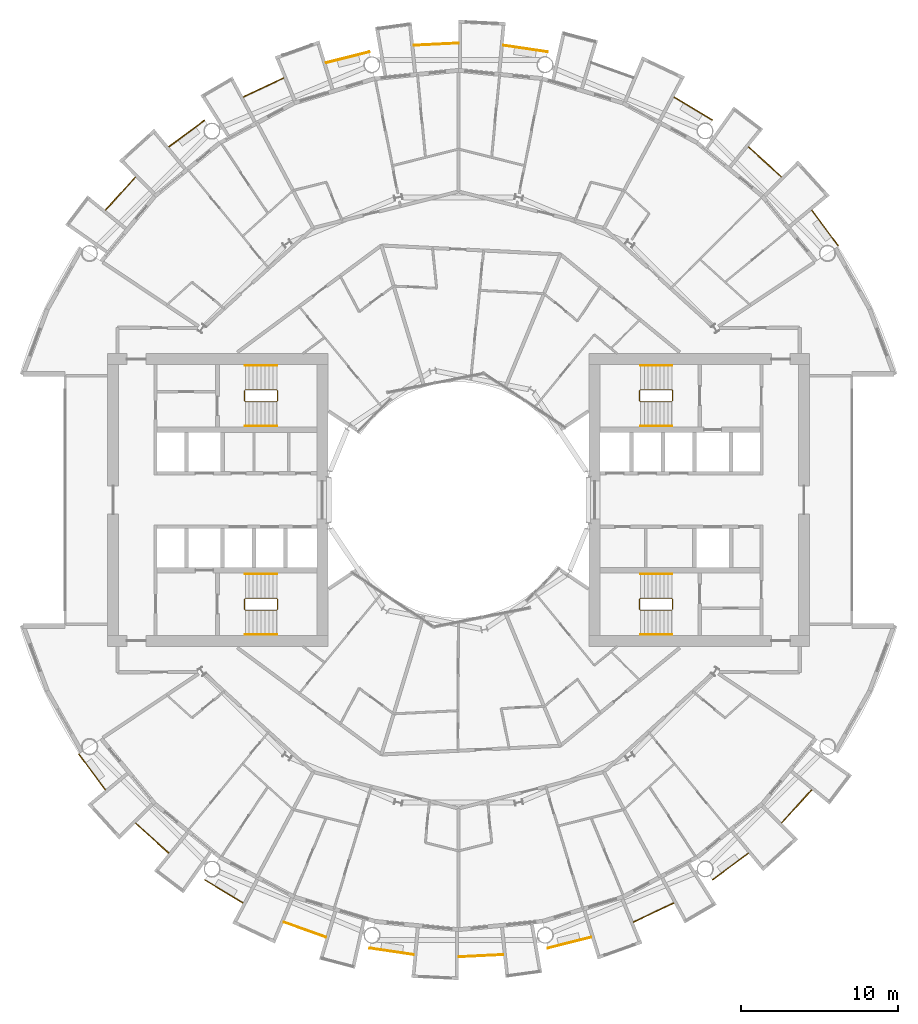
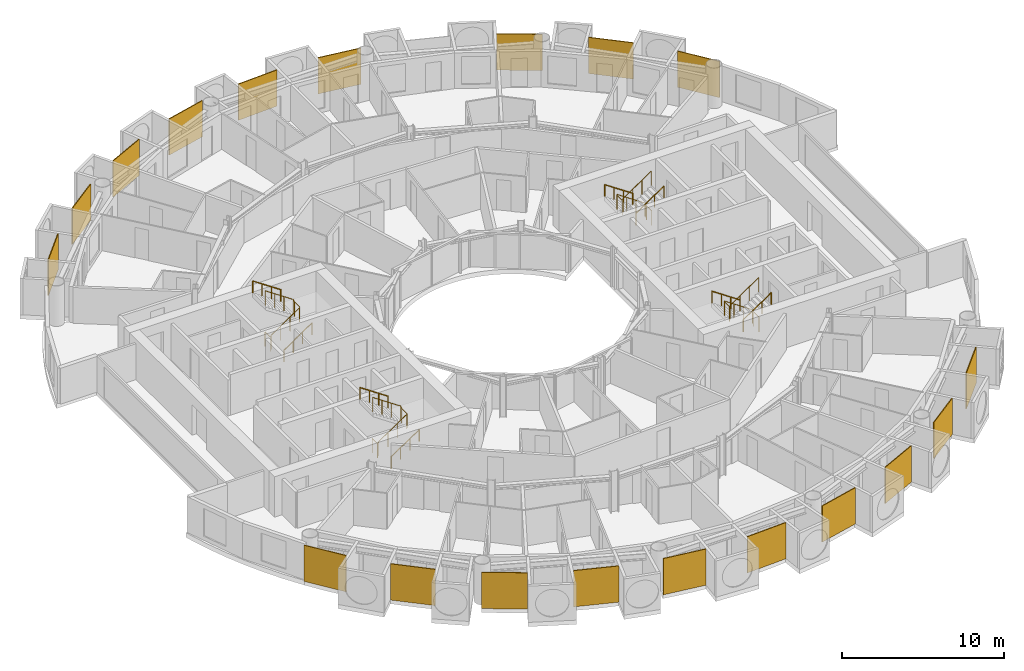
# One storey, part 25 of 26: 31 railings.
"""IFC4 building model written with IfcOpenShell, lengths in metres."""

import ifcopenshell
import ifcopenshell.guid

model = None  # the IFC model being written
_history = None  # IfcOwnerHistory: only IFC2X3 demands one
_inside = {}  # id of a spatial element -> (the spatial element, [elements in it])
_under = {}  # id of a project, library or spatial element -> (it, [spatial elements below it])
_declared = {}  # id of a project -> (the project, [libraries it declares])
_typed = {}  # id of a type object -> (the type object, [elements of that type])
_made_of = {}  # id of a material, layer set ... -> (it, [elements and type objects made of it])


def new_model(schema):
    """Start an empty IFC model of exactly this schema.

    Asked for "IFC4X3", IfcOpenShell would pick the latest addendum, in which some entities
    have other attributes; the version numbers below select the first issue.
    IFC2X3 requires an IfcOwnerHistory on every rooted entity: one is made here for all.
    """
    global model, _history
    if schema == "IFC4X3":
        model = ifcopenshell.file(schema_version=(4, 3, 0, 0))
    else:
        model = ifcopenshell.file(schema=schema)
    _inside.clear()
    _under.clear()
    _declared.clear()
    _typed.clear()
    _made_of.clear()
    _history = None
    if model.schema == "IFC2X3":
        org = make("IfcOrganization", Name="unknown")
        user = make(
            "IfcPersonAndOrganization",
            ThePerson=make("IfcPerson", FamilyName="unknown"),
            TheOrganization=org,
        )
        app = make(
            "IfcApplication",
            ApplicationDeveloper=org,
            Version="unknown",
            ApplicationFullName="unknown",
            ApplicationIdentifier="unknown",
        )
        _history = make(
            "IfcOwnerHistory",
            OwningUser=user,
            OwningApplication=app,
            ChangeAction="ADDED",
            CreationDate=0,
        )
    return model


def make(cls, **values):
    """One entity of the class cls with the attributes given. An attribute that is None is left unset."""
    return model.create_entity(
        cls, **{name: value for name, value in values.items() if value is not None}
    )


def rooted(cls, **values):
    """An entity with a GlobalId (a new one), such as an element, a storey or a relation."""
    return make(cls, GlobalId=ifcopenshell.guid.new(), OwnerHistory=_history, **values)


def si_unit(unit_type, name, prefix=None):
    """IfcSIUnit, for example si_unit("LENGTHUNIT", "METRE", prefix="MILLI")."""
    return make("IfcSIUnit", UnitType=unit_type, Prefix=prefix, Name=name)


def assignment(units):
    """IfcUnitAssignment: the units of a project."""
    return None if units is None else make("IfcUnitAssignment", Units=units)


def point(xyz):
    """IfcCartesianPoint."""
    return None if xyz is None else make("IfcCartesianPoint", Coordinates=xyz)


def direction(xyz):
    """IfcDirection."""
    return None if xyz is None else make("IfcDirection", DirectionRatios=xyz)


def frame(location, z_axis=None, x_axis=None):
    """IfcAxis2Placement3D, a coordinate frame: its origin and axes. An axis left out is left unset."""
    return make(
        "IfcAxis2Placement3D",
        Location=point(location),
        Axis=direction(z_axis),
        RefDirection=direction(x_axis),
    )


def frame_2d(location, x_axis=None):
    """IfcAxis2Placement2D, a coordinate frame in the plane: its origin and x axis."""
    return make(
        "IfcAxis2Placement2D", Location=point(location), RefDirection=direction(x_axis)
    )


def origin():
    """The frame at (0, 0, 0) with its axes left unset."""
    return frame((0.0, 0.0, 0.0))


def origin_2d():
    """The frame at (0, 0) in the plane with its x axis left unset."""
    return frame_2d((0.0, 0.0))


def place(relative_to, where):
    """IfcLocalPlacement: puts the frame where relative to a parent placement (None: the world)."""
    return make(
        "IfcLocalPlacement", PlacementRelTo=relative_to, RelativePlacement=where
    )


def context(
    kind, dimensions, precision=None, world=None, true_north=None, identifier=None
):
    """IfcGeometricRepresentationContext, for example the 3D "Model" context."""
    return make(
        "IfcGeometricRepresentationContext",
        ContextIdentifier=identifier,
        ContextType=kind,
        CoordinateSpaceDimension=dimensions,
        Precision=precision,
        WorldCoordinateSystem=world,
        TrueNorth=true_north,
    )


def subcontext(parent, identifier, kind, view, scale=None):
    """IfcGeometricRepresentationSubContext, for example "Body" below "Model"."""
    return make(
        "IfcGeometricRepresentationSubContext",
        ContextIdentifier=identifier,
        ContextType=kind,
        ParentContext=parent,
        TargetScale=scale,
        TargetView=view,
    )


def project(units=None, contexts=None):
    """IfcProject with its units and contexts."""
    return rooted(
        "IfcProject",
        Name="project",
        RepresentationContexts=contexts,
        UnitsInContext=assignment(units),
    )


def spatial(cls, under=None, at=None, **own):
    """A site, building, storey or space (cls), placed at a placement, below another one or the project."""
    s = rooted(cls, ObjectPlacement=at, **own)
    if under is not None:
        _under.setdefault(under.id(), (under, []))[1].append(s)
    return s


def polyline(points):
    """IfcPolyline through the points."""
    return make("IfcPolyline", Points=[point(p) for p in points])


def profile(cls, at=None, kind="AREA", **sizes):
    """A parametric profile (cls). Its sizes go by their IFC names, for example OverallWidth=200.0."""
    return make(cls, ProfileType=kind, Position=at, **sizes)


def circle(**sizes):
    """IfcCircleProfileDef."""
    return profile("IfcCircleProfileDef", **sizes)


def outline(outer, holes=None, kind="AREA"):
    """IfcArbitraryClosedProfileDef: a profile drawn as a closed curve; with holes, ...WithVoids."""
    if holes is None:
        return make("IfcArbitraryClosedProfileDef", ProfileType=kind, OuterCurve=outer)
    return make(
        "IfcArbitraryProfileDefWithVoids",
        ProfileType=kind,
        OuterCurve=outer,
        InnerCurves=holes,
    )


def extrude(swept, where, along, depth):
    """IfcExtrudedAreaSolid: the profile swept, set in the frame where, extruded along a direction by depth."""
    return make(
        "IfcExtrudedAreaSolid",
        SweptArea=swept,
        Position=where,
        ExtrudedDirection=direction(along),
        Depth=depth,
    )


def shape(context_of_items, identifier, shape_type, items):
    """IfcShapeRepresentation: the items that make up one representation, for example the "Body"."""
    return make(
        "IfcShapeRepresentation",
        ContextOfItems=context_of_items,
        RepresentationIdentifier=identifier,
        RepresentationType=shape_type,
        Items=items,
    )


def material(Name=None, Category=None):
    """IfcMaterial."""
    return make("IfcMaterial", Name=Name, Category=Category)


def layer(
    of_material, thickness, ventilated=None, Name=None, Category=None, Priority=None
):
    """IfcMaterialLayer: one layer of a wall or slab, of a material (None: an air gap)."""
    return make(
        "IfcMaterialLayer",
        Material=of_material,
        LayerThickness=thickness,
        IsVentilated=ventilated,
        Name=Name,
        Category=Category,
        Priority=Priority,
    )


def layer_set(layers, Name=None):
    """IfcMaterialLayerSet."""
    return make("IfcMaterialLayerSet", MaterialLayers=layers, LayerSetName=Name)


def made_of(thing, what):
    """Note that an element or type object is made of a material, layer set ...; save() writes the relation."""
    if what is not None:
        _made_of.setdefault(what.id(), (what, []))[1].append(thing)
    return thing


def type_object(cls, material=None, **own):
    """A type object (cls), such as IfcWallType, which elements share."""
    return made_of(rooted(cls, **own), material)


def element(
    cls,
    number,
    at=None,
    inside=None,
    cuts=None,
    type_object=None,
    material=None,
    context=None,
    identifier="Body",
    shape_type=None,
    held_by="IfcProductDefinitionShape",
    body=None,
    shapes=None,
    **own,
):
    """One element of the class cls, such as IfcWall. Its Tag is "e" and its number.

    at: its placement. inside: the storey or other place that contains it. cuts: it is an
    opening in that element (IfcRelVoidsElement). A single representation is given by context,
    identifier, shape_type and body (its items); several are given by shapes. held_by: the class
    of the entity that holds the representations. save() writes the other relations.
    """
    e = rooted(cls, Tag="e%d" % number, ObjectPlacement=at, **own)
    if body is not None:
        shapes = [shape(context, identifier, shape_type, body)]
    if shapes is not None:
        e.Representation = make(held_by, Representations=shapes)
    if inside is not None:
        _inside.setdefault(inside.id(), (inside, []))[1].append(e)
    if cuts is not None:
        rooted(
            "IfcRelVoidsElement", RelatingBuildingElement=cuts, RelatedOpeningElement=e
        )
    if type_object is not None:
        _typed.setdefault(type_object.id(), (type_object, []))[1].append(e)
    return made_of(e, material)


def aggregate(whole, parts):
    """IfcRelAggregates: a whole, such as a stair, and the parts it consists of."""
    return rooted("IfcRelAggregates", RelatingObject=whole, RelatedObjects=parts)


def save(model, path):
    """Write the relations noted so far, then the file.

    IfcRelAggregates (storeys below a building ...), IfcRelContainedInSpatialStructure (elements
    in a storey), IfcRelDefinesByType, IfcRelAssociatesMaterial and IfcRelDeclares: one each for
    every whole, place, type object, material and project.
    """
    for whole, parts in _under.values():
        aggregate(whole, parts)
    for where, things in _inside.values():
        rooted(
            "IfcRelContainedInSpatialStructure",
            RelatedElements=things,
            RelatingStructure=where,
        )
    for kind, things in _typed.values():
        rooted("IfcRelDefinesByType", RelatedObjects=things, RelatingType=kind)
    for what, things in _made_of.values():
        rooted("IfcRelAssociatesMaterial", RelatedObjects=things, RelatingMaterial=what)
    for by, libraries in _declared.values():
        rooted("IfcRelDeclares", RelatingContext=by, RelatedDefinitions=libraries)
    model.write(path)


model = new_model("IFC4")

# Units and contexts
model_context = context("Model", 3, precision=1e-05, world=origin(), true_north=direction((0.0, 1.0)))
body_context = subcontext(model_context, "Body", "Model", "MODEL_VIEW")
ifc_project = project(units=[si_unit("LENGTHUNIT", "METRE"), si_unit("AREAUNIT", "SQUARE_METRE"), si_unit("VOLUMEUNIT", "CUBIC_METRE"), si_unit("PLANEANGLEUNIT", "RADIAN"), si_unit("MASSUNIT", "GRAM", prefix="KILO")], contexts=[model_context])

# Site, building, storey
site_placement = place(None, origin())
site = spatial("IfcSite", under=ifc_project, at=site_placement, CompositionType="ELEMENT")
building_placement = place(site_placement, origin())
building = spatial("IfcBuilding", under=site, at=building_placement, Name="Maasbend Ring Residences", CompositionType="ELEMENT")
storey_placement = place(building_placement, frame((0.0, 0.0, 84.949951171875)))
storey = spatial("IfcBuildingStorey", under=building, at=storey_placement, Name="L24", CompositionType="ELEMENT", Elevation=84.949951171875)

# Railings
ifc_material_1 = material(Name="Pale anodised perforated aluminium", Category="aluminium")
ifc_layer = layer(ifc_material_1, 0.06005859375)
ifc_layer_set = layer_set([ifc_layer], Name="SCREEN-P")
railing_type_1 = type_object("IfcRailingType", Name="SCREEN-P", PredefinedType="GUARDRAIL", material=ifc_layer_set)
railing_1_placement = place(storey_placement, frame((0.0, 0.0, -0.030029296875)))
element("IfcRailing", 1, at=railing_1_placement, inside=storey, type_object=railing_type_1, Name="Perforated screen guard 1", PredefinedType="GUARDRAIL", context=body_context, shape_type="SweptSolid", body=[
    extrude(outline(polyline([(24.113037109375, 16.112060546875), (22.4169921875, 18.39697265625), (22.465087890625, 18.43310546875), (24.160888671875, 16.14697265625), (24.113037109375, 16.112060546875)])), origin(), (0.0, 0.0, 1.0), 2.72998046875),
])
railing_2_placement = place(storey_placement, frame((0.0, 0.0, -0.030029296875)))
element("IfcRailing", 2, at=railing_2_placement, inside=storey, type_object=railing_type_1, Name="Perforated screen guard 2", PredefinedType="GUARDRAIL", context=body_context, shape_type="SweptSolid", body=[
    extrude(outline(polyline([(20.506103515625, 20.506103515625), (18.39697265625, 22.4169921875), (18.43798828125, 22.4619140625), (20.5458984375, 20.551025390625), (20.506103515625, 20.506103515625)])), origin(), (0.0, 0.0, 1.0), 2.72998046875),
])
railing_3_placement = place(storey_placement, frame((0.0, 0.0, -0.030029296875)))
element("IfcRailing", 3, at=railing_3_placement, inside=storey, type_object=railing_type_1, Name="Perforated screen guard 3", PredefinedType="GUARDRAIL", context=body_context, shape_type="SweptSolid", body=[
    extrude(outline(polyline([(16.112060546875, 24.113037109375), (13.6708984375, 25.575927734375), (13.700927734375, 25.626953125), (16.14208984375, 24.1640625), (16.112060546875, 24.113037109375)])), origin(), (0.0, 0.0, 1.0), 2.72998046875),
])
railing_4_placement = place(storey_placement, frame((0.0, 0.0, -0.030029296875)))
element("IfcRailing", 4, at=railing_4_placement, inside=storey, type_object=railing_type_1, Name="Perforated screen guard 5", PredefinedType="GUARDRAIL", context=body_context, shape_type="SweptSolid", body=[
    extrude(outline(polyline([(5.657958984375, 28.443115234375), (2.842041015625, 28.860107421875), (2.85107421875, 28.919921875), (5.666015625, 28.501953125), (5.657958984375, 28.443115234375)])), origin(), (0.0, 0.0, 1.0), 2.72998046875),
])
railing_5_placement = place(storey_placement, frame((0.0, 0.0, -0.030029296875)))
element("IfcRailing", 5, at=railing_5_placement, inside=storey, type_object=railing_type_1, Name="Perforated screen guard 6", PredefinedType="GUARDRAIL", context=body_context, shape_type="SweptSolid", body=[
    extrude(outline(polyline([(0.0, 29.0), (-2.842041015625, 28.860107421875), (-2.844970703125, 28.919921875), (-0.0029296875, 29.06005859375), (0.0, 29.0)])), origin(), (0.0, 0.0, 1.0), 2.72998046875),
])
railing_6_placement = place(storey_placement, frame((0.0, 0.0, -0.030029296875)))
element("IfcRailing", 6, at=railing_6_placement, inside=storey, type_object=railing_type_1, Name="Perforated screen guard 7", PredefinedType="GUARDRAIL", context=body_context, shape_type="SweptSolid", body=[
    extrude(outline(polyline([(-5.657958984375, 28.443115234375), (-8.41796875, 27.7509765625), (-8.43310546875, 27.80908203125), (-5.672119140625, 28.5009765625), (-5.657958984375, 28.443115234375)])), origin(), (0.0, 0.0, 1.0), 2.72998046875),
])
railing_7_placement = place(storey_placement, frame((0.0, 0.0, -0.030029296875)))
element("IfcRailing", 7, at=railing_7_placement, inside=storey, type_object=railing_type_1, Name="Perforated screen guard 8", PredefinedType="GUARDRAIL", context=body_context, shape_type="SweptSolid", body=[
    extrude(outline(polyline([(-11.097900390625, 26.79296875), (-13.6708984375, 25.575927734375), (-13.696044921875, 25.6298828125), (-11.123046875, 26.846923828125), (-11.097900390625, 26.79296875)])), origin(), (0.0, 0.0, 1.0), 2.72998046875),
])
railing_8_placement = place(storey_placement, frame((0.0, 0.0, -0.030029296875)))
element("IfcRailing", 8, at=railing_8_placement, inside=storey, type_object=railing_type_1, Name="Perforated screen guard 9", PredefinedType="GUARDRAIL", context=body_context, shape_type="SweptSolid", body=[
    extrude(outline(polyline([(-16.112060546875, 24.113037109375), (-18.39697265625, 22.4169921875), (-18.43310546875, 22.465087890625), (-16.14697265625, 24.160888671875), (-16.112060546875, 24.113037109375)])), origin(), (0.0, 0.0, 1.0), 2.72998046875),
])
railing_9_placement = place(storey_placement, frame((0.0, 0.0, -0.030029296875)))
element("IfcRailing", 9, at=railing_9_placement, inside=storey, type_object=railing_type_1, Name="Perforated screen guard 10", PredefinedType="GUARDRAIL", context=body_context, shape_type="SweptSolid", body=[
    extrude(outline(polyline([(-20.506103515625, 20.506103515625), (-22.4169921875, 18.39697265625), (-22.4619140625, 18.43798828125), (-20.551025390625, 20.5458984375), (-20.506103515625, 20.506103515625)])), origin(), (0.0, 0.0, 1.0), 2.72998046875),
])
railing_10_placement = place(storey_placement, frame((0.0, 0.0, -0.030029296875)))
element("IfcRailing", 10, at=railing_10_placement, inside=storey, type_object=railing_type_1, Name="Perforated screen guard 1", PredefinedType="GUARDRAIL", context=body_context, shape_type="SweptSolid", body=[
    extrude(outline(polyline([(-24.113037109375, -16.112060546875), (-22.4169921875, -18.39697265625), (-22.465087890625, -18.43310546875), (-24.160888671875, -16.14697265625), (-24.113037109375, -16.112060546875)])), origin(), (0.0, 0.0, 1.0), 2.72998046875),
])
railing_11_placement = place(storey_placement, frame((0.0, 0.0, -0.030029296875)))
element("IfcRailing", 11, at=railing_11_placement, inside=storey, type_object=railing_type_1, Name="Perforated screen guard 2", PredefinedType="GUARDRAIL", context=body_context, shape_type="SweptSolid", body=[
    extrude(outline(polyline([(-20.506103515625, -20.506103515625), (-18.39697265625, -22.4169921875), (-18.43798828125, -22.4619140625), (-20.5458984375, -20.551025390625), (-20.506103515625, -20.506103515625)])), origin(), (0.0, 0.0, 1.0), 2.72998046875),
])
railing_12_placement = place(storey_placement, frame((0.0, 0.0, -0.030029296875)))
element("IfcRailing", 12, at=railing_12_placement, inside=storey, type_object=railing_type_1, Name="Perforated screen guard 3", PredefinedType="GUARDRAIL", context=body_context, shape_type="SweptSolid", body=[
    extrude(outline(polyline([(-16.112060546875, -24.113037109375), (-13.6708984375, -25.575927734375), (-13.700927734375, -25.626953125), (-16.14208984375, -24.1640625), (-16.112060546875, -24.113037109375)])), origin(), (0.0, 0.0, 1.0), 2.72998046875),
])
railing_13_placement = place(storey_placement, frame((0.0, 0.0, -0.030029296875)))
element("IfcRailing", 13, at=railing_13_placement, inside=storey, type_object=railing_type_1, Name="Perforated screen guard 4", PredefinedType="GUARDRAIL", context=body_context, shape_type="SweptSolid", body=[
    extrude(outline(polyline([(-11.097900390625, -26.79296875), (-8.41796875, -27.7509765625), (-8.43798828125, -27.80810546875), (-11.117919921875, -26.84912109375), (-11.097900390625, -26.79296875)])), origin(), (0.0, 0.0, 1.0), 2.72998046875),
])
railing_14_placement = place(storey_placement, frame((0.0, 0.0, -0.030029296875)))
element("IfcRailing", 14, at=railing_14_placement, inside=storey, type_object=railing_type_1, Name="Perforated screen guard 5", PredefinedType="GUARDRAIL", context=body_context, shape_type="SweptSolid", body=[
    extrude(outline(polyline([(-5.657958984375, -28.443115234375), (-2.842041015625, -28.860107421875), (-2.85107421875, -28.919921875), (-5.666015625, -28.501953125), (-5.657958984375, -28.443115234375)])), origin(), (0.0, 0.0, 1.0), 2.72998046875),
])
railing_15_placement = place(storey_placement, frame((0.0, 0.0, -0.030029296875)))
element("IfcRailing", 15, at=railing_15_placement, inside=storey, type_object=railing_type_1, Name="Perforated screen guard 6", PredefinedType="GUARDRAIL", context=body_context, shape_type="SweptSolid", body=[
    extrude(outline(polyline([(0.0, -29.0), (2.842041015625, -28.860107421875), (2.844970703125, -28.919921875), (0.0029296875, -29.06005859375), (0.0, -29.0)])), origin(), (0.0, 0.0, 1.0), 2.72998046875),
])
railing_16_placement = place(storey_placement, frame((0.0, 0.0, -0.030029296875)))
element("IfcRailing", 16, at=railing_16_placement, inside=storey, type_object=railing_type_1, Name="Perforated screen guard 7", PredefinedType="GUARDRAIL", context=body_context, shape_type="SweptSolid", body=[
    extrude(outline(polyline([(5.657958984375, -28.443115234375), (8.41796875, -27.7509765625), (8.43310546875, -27.80908203125), (5.672119140625, -28.5009765625), (5.657958984375, -28.443115234375)])), origin(), (0.0, 0.0, 1.0), 2.72998046875),
])
railing_17_placement = place(storey_placement, frame((0.0, 0.0, -0.030029296875)))
element("IfcRailing", 17, at=railing_17_placement, inside=storey, type_object=railing_type_1, Name="Perforated screen guard 8", PredefinedType="GUARDRAIL", context=body_context, shape_type="SweptSolid", body=[
    extrude(outline(polyline([(11.097900390625, -26.79296875), (13.6708984375, -25.575927734375), (13.696044921875, -25.6298828125), (11.123046875, -26.846923828125), (11.097900390625, -26.79296875)])), origin(), (0.0, 0.0, 1.0), 2.72998046875),
])
railing_18_placement = place(storey_placement, frame((0.0, 0.0, -0.030029296875)))
element("IfcRailing", 18, at=railing_18_placement, inside=storey, type_object=railing_type_1, Name="Perforated screen guard 9", PredefinedType="GUARDRAIL", context=body_context, shape_type="SweptSolid", body=[
    extrude(outline(polyline([(16.112060546875, -24.113037109375), (18.39697265625, -22.4169921875), (18.43310546875, -22.465087890625), (16.14697265625, -24.160888671875), (16.112060546875, -24.113037109375)])), origin(), (0.0, 0.0, 1.0), 2.72998046875),
])
railing_19_placement = place(storey_placement, frame((0.0, 0.0, -0.030029296875)))
element("IfcRailing", 19, at=railing_19_placement, inside=storey, type_object=railing_type_1, Name="Perforated screen guard 10", PredefinedType="GUARDRAIL", context=body_context, shape_type="SweptSolid", body=[
    extrude(outline(polyline([(20.506103515625, -20.506103515625), (22.4169921875, -18.39697265625), (22.4619140625, -18.43798828125), (20.551025390625, -20.5458984375), (20.506103515625, -20.506103515625)])), origin(), (0.0, 0.0, 1.0), 2.72998046875),
])
ifc_material_2 = material(Name="Stainless steel 316", Category="steel")
railing_type_2 = type_object("IfcRailingType", Name="STAIR GUARD 1100", PredefinedType="GUARDRAIL", material=ifc_material_2)
railing_20_placement = place(storey_placement, frame((13.60009765625, 6.300048828125, 0.0)))
element("IfcRailing", 20, at=railing_20_placement, inside=storey, type_object=railing_type_2, Name="L24 ST-E1 stair guard 1", PredefinedType="GUARDRAIL", context=body_context, shape_type="SweptSolid", body=[
    extrude(circle(Radius=0.02392578125, at=origin_2d()), frame((0.0, 0.0, 1.076171875), z_axis=(0.0, 1.0, 0.0), x_axis=(-1.0, 0.0, 0.0)), (0.0, 0.0, 1.0), 0.64990234375),
    extrude(circle(Radius=0.02392578125, at=origin_2d()), frame((0.0, 0.64990234375, 1.076171875), z_axis=(-0.272562526181, 0.272562526181, 0.92272386912), x_axis=(-0.707106781187, -0.707106781187, 0.0)), (0.0, 0.0, 1.0), 0.18359375),
    extrude(circle(Radius=0.02392578125, at=origin_2d()), frame((-0.050048828125, 0.699951171875, 1.24560546875), z_axis=(-0.827750655447, 0.0, 0.561096116906), x_axis=(0.0, -1.0, 0.0)), (0.0, 0.0, 1.0), 2.416259765625),
    extrude(circle(Radius=0.02392578125, at=origin_2d()), frame((-2.050048828125, 0.699951171875, 2.60107421875), z_axis=(-0.707106781187, -0.707106781187, 0.0), x_axis=(0.707106781187, -0.707106781187, 0.0)), (0.0, 0.0, 1.0), 0.07080078125),
    extrude(circle(Radius=0.02392578125, at=origin_2d()), frame((-2.10009765625, 0.64990234375, 2.60107421875), z_axis=(0.0, -1.0, 0.0), x_axis=(1.0, 0.0, 0.0)), (0.0, 0.0, 1.0), 0.64990234375),
    extrude(circle(Radius=0.02392578125, at=origin_2d()), frame((-2.10009765625, 0.0, 2.60107421875), z_axis=(0.272562526181, -0.272562526181, 0.92272386912), x_axis=(0.707106781187, 0.707106781187, 0.0)), (0.0, 0.0, 1.0), 0.18359375),
    extrude(circle(Radius=0.02392578125, at=origin_2d()), frame((-2.050048828125, -0.050048828125, 2.7705078125), z_axis=(0.827797584762, 0.0, 0.561026878735), x_axis=(0.0, 1.0, 0.0)), (0.0, 0.0, 1.0), 2.416015625),
    extrude(circle(Radius=0.02099609375, at=origin_2d()), origin(), (0.0, 0.0, 1.0), 1.052001953125),
    extrude(circle(Radius=0.02099609375, at=origin_2d()), frame((0.0, 0.64990234375, 0.0)), (0.0, 0.0, 1.0), 1.052001953125),
    extrude(circle(Radius=0.02099609375, at=origin_2d()), frame((-0.050048828125, 0.699951171875, 0.16943359375)), (0.0, 0.0, 1.0), 1.052001953125),
    extrude(circle(Radius=0.02099609375, at=origin_2d()), frame((-0.716796875, 0.699951171875, 0.621337890625)), (0.0, 0.0, 1.0), 1.052001953125),
    extrude(circle(Radius=0.02099609375, at=origin_2d()), frame((-1.38330078125, 0.699951171875, 1.0732421875)), (0.0, 0.0, 1.0), 1.052001953125),
    extrude(circle(Radius=0.02099609375, at=origin_2d()), frame((-2.050048828125, 0.699951171875, 1.525146484375)), (0.0, 0.0, 1.0), 1.052001953125),
    extrude(circle(Radius=0.02099609375, at=origin_2d()), frame((-2.10009765625, 0.64990234375, 1.525146484375)), (0.0, 0.0, 1.0), 1.052001953125),
    extrude(circle(Radius=0.02099609375, at=origin_2d()), frame((-2.10009765625, 0.0, 1.525146484375)), (0.0, 0.0, 1.0), 1.052001953125),
    extrude(circle(Radius=0.02099609375, at=origin_2d()), frame((-2.050048828125, -0.050048828125, 1.694580078125)), (0.0, 0.0, 1.0), 1.052001953125),
    extrude(circle(Radius=0.02099609375, at=origin_2d()), frame((-1.38330078125, -0.050048828125, 2.146484375)), (0.0, 0.0, 1.0), 1.052001953125),
    extrude(circle(Radius=0.02099609375, at=origin_2d()), frame((-0.716796875, -0.050048828125, 2.59814453125)), (0.0, 0.0, 1.0), 1.052001953125),
    extrude(circle(Radius=0.02099609375, at=origin_2d()), frame((-0.050048828125, -0.050048828125, 3.050048828125)), (0.0, 0.0, 1.0), 1.052001953125),
])
railing_21_placement = place(storey_placement, frame((13.60009765625, -6.949951171875, 0.0)))
element("IfcRailing", 21, at=railing_21_placement, inside=storey, type_object=railing_type_2, Name="L24 ST-E2 stair guard 1", PredefinedType="GUARDRAIL", context=body_context, shape_type="SweptSolid", body=[
    extrude(circle(Radius=0.02392578125, at=origin_2d()), frame((0.0, 0.0, 1.076171875), z_axis=(0.0, 1.0, 0.0), x_axis=(-1.0, 0.0, 0.0)), (0.0, 0.0, 1.0), 0.64990234375),
    extrude(circle(Radius=0.02392578125, at=origin_2d()), frame((0.0, 0.64990234375, 1.076171875), z_axis=(-0.272562526181, 0.272562526181, 0.92272386912), x_axis=(-0.707106781187, -0.707106781187, 0.0)), (0.0, 0.0, 1.0), 0.18359375),
    extrude(circle(Radius=0.02392578125, at=origin_2d()), frame((-0.050048828125, 0.699951171875, 1.24560546875), z_axis=(-0.827750655447, 0.0, 0.561096116906), x_axis=(0.0, -1.0, 0.0)), (0.0, 0.0, 1.0), 2.416259765625),
    extrude(circle(Radius=0.02392578125, at=origin_2d()), frame((-2.050048828125, 0.699951171875, 2.60107421875), z_axis=(-0.707106781187, -0.707106781187, 0.0), x_axis=(0.707106781187, -0.707106781187, 0.0)), (0.0, 0.0, 1.0), 0.07080078125),
    extrude(circle(Radius=0.02392578125, at=origin_2d()), frame((-2.10009765625, 0.64990234375, 2.60107421875), z_axis=(0.0, -1.0, 0.0), x_axis=(1.0, 0.0, 0.0)), (0.0, 0.0, 1.0), 0.64990234375),
    extrude(circle(Radius=0.02392578125, at=origin_2d()), frame((-2.10009765625, 0.0, 2.60107421875), z_axis=(0.272562526181, -0.272562526181, 0.92272386912), x_axis=(0.707106781187, 0.707106781187, 0.0)), (0.0, 0.0, 1.0), 0.18359375),
    extrude(circle(Radius=0.02392578125, at=origin_2d()), frame((-2.050048828125, -0.050048828125, 2.7705078125), z_axis=(0.827797584762, 0.0, 0.561026878735), x_axis=(0.0, 1.0, 0.0)), (0.0, 0.0, 1.0), 2.416015625),
    extrude(circle(Radius=0.02099609375, at=origin_2d()), origin(), (0.0, 0.0, 1.0), 1.052001953125),
    extrude(circle(Radius=0.02099609375, at=origin_2d()), frame((0.0, 0.64990234375, 0.0)), (0.0, 0.0, 1.0), 1.052001953125),
    extrude(circle(Radius=0.02099609375, at=origin_2d()), frame((-0.050048828125, 0.699951171875, 0.16943359375)), (0.0, 0.0, 1.0), 1.052001953125),
    extrude(circle(Radius=0.02099609375, at=origin_2d()), frame((-0.716796875, 0.699951171875, 0.621337890625)), (0.0, 0.0, 1.0), 1.052001953125),
    extrude(circle(Radius=0.02099609375, at=origin_2d()), frame((-1.38330078125, 0.699951171875, 1.0732421875)), (0.0, 0.0, 1.0), 1.052001953125),
    extrude(circle(Radius=0.02099609375, at=origin_2d()), frame((-2.050048828125, 0.699951171875, 1.525146484375)), (0.0, 0.0, 1.0), 1.052001953125),
    extrude(circle(Radius=0.02099609375, at=origin_2d()), frame((-2.10009765625, 0.64990234375, 1.525146484375)), (0.0, 0.0, 1.0), 1.052001953125),
    extrude(circle(Radius=0.02099609375, at=origin_2d()), frame((-2.10009765625, 0.0, 1.525146484375)), (0.0, 0.0, 1.0), 1.052001953125),
    extrude(circle(Radius=0.02099609375, at=origin_2d()), frame((-2.050048828125, -0.050048828125, 1.694580078125)), (0.0, 0.0, 1.0), 1.052001953125),
    extrude(circle(Radius=0.02099609375, at=origin_2d()), frame((-1.38330078125, -0.050048828125, 2.146484375)), (0.0, 0.0, 1.0), 1.052001953125),
    extrude(circle(Radius=0.02099609375, at=origin_2d()), frame((-0.716796875, -0.050048828125, 2.59814453125)), (0.0, 0.0, 1.0), 1.052001953125),
    extrude(circle(Radius=0.02099609375, at=origin_2d()), frame((-0.050048828125, -0.050048828125, 3.050048828125)), (0.0, 0.0, 1.0), 1.052001953125),
])
railing_22_placement = place(storey_placement, frame((-13.60009765625, -6.300048828125, 0.0)))
element("IfcRailing", 22, at=railing_22_placement, inside=storey, type_object=railing_type_2, Name="L24 ST-W1 stair guard 1", PredefinedType="GUARDRAIL", context=body_context, shape_type="SweptSolid", body=[
    extrude(circle(Radius=0.02392578125, at=origin_2d()), frame((0.0, 0.0, 1.076171875), z_axis=(0.0, -1.0, 0.0), x_axis=(1.0, 0.0, 0.0)), (0.0, 0.0, 1.0), 0.64990234375),
    extrude(circle(Radius=0.02392578125, at=origin_2d()), frame((0.0, -0.64990234375, 1.076171875), z_axis=(0.272562526181, -0.272562526181, 0.92272386912), x_axis=(0.707106781187, 0.707106781187, 0.0)), (0.0, 0.0, 1.0), 0.18359375),
    extrude(circle(Radius=0.02392578125, at=origin_2d()), frame((0.050048828125, -0.699951171875, 1.24560546875), z_axis=(0.827750655447, 0.0, 0.561096116906), x_axis=(0.0, 1.0, 0.0)), (0.0, 0.0, 1.0), 2.416259765625),
    extrude(circle(Radius=0.02392578125, at=origin_2d()), frame((2.050048828125, -0.699951171875, 2.60107421875), z_axis=(0.707106781187, 0.707106781187, 0.0), x_axis=(-0.707106781187, 0.707106781187, 0.0)), (0.0, 0.0, 1.0), 0.07080078125),
    extrude(circle(Radius=0.02392578125, at=origin_2d()), frame((2.10009765625, -0.64990234375, 2.60107421875), z_axis=(0.0, 1.0, 0.0), x_axis=(-1.0, 0.0, 0.0)), (0.0, 0.0, 1.0), 0.64990234375),
    extrude(circle(Radius=0.02392578125, at=origin_2d()), frame((2.10009765625, 0.0, 2.60107421875), z_axis=(-0.272562526181, 0.272562526181, 0.92272386912), x_axis=(-0.707106781187, -0.707106781187, 0.0)), (0.0, 0.0, 1.0), 0.18359375),
    extrude(circle(Radius=0.02392578125, at=origin_2d()), frame((2.050048828125, 0.050048828125, 2.7705078125), z_axis=(-0.827797584762, 0.0, 0.561026878735), x_axis=(0.0, -1.0, 0.0)), (0.0, 0.0, 1.0), 2.416015625),
    extrude(circle(Radius=0.02099609375, at=origin_2d()), origin(), (0.0, 0.0, 1.0), 1.052001953125),
    extrude(circle(Radius=0.02099609375, at=origin_2d()), frame((0.0, -0.64990234375, 0.0)), (0.0, 0.0, 1.0), 1.052001953125),
    extrude(circle(Radius=0.02099609375, at=origin_2d()), frame((0.050048828125, -0.699951171875, 0.16943359375)), (0.0, 0.0, 1.0), 1.052001953125),
    extrude(circle(Radius=0.02099609375, at=origin_2d()), frame((0.716796875, -0.699951171875, 0.621337890625)), (0.0, 0.0, 1.0), 1.052001953125),
    extrude(circle(Radius=0.02099609375, at=origin_2d()), frame((1.38330078125, -0.699951171875, 1.0732421875)), (0.0, 0.0, 1.0), 1.052001953125),
    extrude(circle(Radius=0.02099609375, at=origin_2d()), frame((2.050048828125, -0.699951171875, 1.525146484375)), (0.0, 0.0, 1.0), 1.052001953125),
    extrude(circle(Radius=0.02099609375, at=origin_2d()), frame((2.10009765625, -0.64990234375, 1.525146484375)), (0.0, 0.0, 1.0), 1.052001953125),
    extrude(circle(Radius=0.02099609375, at=origin_2d()), frame((2.10009765625, 0.0, 1.525146484375)), (0.0, 0.0, 1.0), 1.052001953125),
    extrude(circle(Radius=0.02099609375, at=origin_2d()), frame((2.050048828125, 0.050048828125, 1.694580078125)), (0.0, 0.0, 1.0), 1.052001953125),
    extrude(circle(Radius=0.02099609375, at=origin_2d()), frame((1.38330078125, 0.050048828125, 2.146484375)), (0.0, 0.0, 1.0), 1.052001953125),
    extrude(circle(Radius=0.02099609375, at=origin_2d()), frame((0.716796875, 0.050048828125, 2.59814453125)), (0.0, 0.0, 1.0), 1.052001953125),
    extrude(circle(Radius=0.02099609375, at=origin_2d()), frame((0.050048828125, 0.050048828125, 3.050048828125)), (0.0, 0.0, 1.0), 1.052001953125),
])
railing_23_placement = place(storey_placement, frame((-13.60009765625, 6.949951171875, 0.0)))
element("IfcRailing", 23, at=railing_23_placement, inside=storey, type_object=railing_type_2, Name="L24 ST-W2 stair guard 1", PredefinedType="GUARDRAIL", context=body_context, shape_type="SweptSolid", body=[
    extrude(circle(Radius=0.02392578125, at=origin_2d()), frame((0.0, 0.0, 1.076171875), z_axis=(0.0, -1.0, 0.0), x_axis=(1.0, 0.0, 0.0)), (0.0, 0.0, 1.0), 0.64990234375),
    extrude(circle(Radius=0.02392578125, at=origin_2d()), frame((0.0, -0.64990234375, 1.076171875), z_axis=(0.272562526181, -0.272562526181, 0.92272386912), x_axis=(0.707106781187, 0.707106781187, 0.0)), (0.0, 0.0, 1.0), 0.18359375),
    extrude(circle(Radius=0.02392578125, at=origin_2d()), frame((0.050048828125, -0.699951171875, 1.24560546875), z_axis=(0.827750655447, 0.0, 0.561096116906), x_axis=(0.0, 1.0, 0.0)), (0.0, 0.0, 1.0), 2.416259765625),
    extrude(circle(Radius=0.02392578125, at=origin_2d()), frame((2.050048828125, -0.699951171875, 2.60107421875), z_axis=(0.707106781187, 0.707106781187, 0.0), x_axis=(-0.707106781187, 0.707106781187, 0.0)), (0.0, 0.0, 1.0), 0.07080078125),
    extrude(circle(Radius=0.02392578125, at=origin_2d()), frame((2.10009765625, -0.64990234375, 2.60107421875), z_axis=(0.0, 1.0, 0.0), x_axis=(-1.0, 0.0, 0.0)), (0.0, 0.0, 1.0), 0.64990234375),
    extrude(circle(Radius=0.02392578125, at=origin_2d()), frame((2.10009765625, 0.0, 2.60107421875), z_axis=(-0.272562526181, 0.272562526181, 0.92272386912), x_axis=(-0.707106781187, -0.707106781187, 0.0)), (0.0, 0.0, 1.0), 0.18359375),
    extrude(circle(Radius=0.02392578125, at=origin_2d()), frame((2.050048828125, 0.050048828125, 2.7705078125), z_axis=(-0.827797584762, 0.0, 0.561026878735), x_axis=(0.0, -1.0, 0.0)), (0.0, 0.0, 1.0), 2.416015625),
    extrude(circle(Radius=0.02099609375, at=origin_2d()), origin(), (0.0, 0.0, 1.0), 1.052001953125),
    extrude(circle(Radius=0.02099609375, at=origin_2d()), frame((0.0, -0.64990234375, 0.0)), (0.0, 0.0, 1.0), 1.052001953125),
    extrude(circle(Radius=0.02099609375, at=origin_2d()), frame((0.050048828125, -0.699951171875, 0.16943359375)), (0.0, 0.0, 1.0), 1.052001953125),
    extrude(circle(Radius=0.02099609375, at=origin_2d()), frame((0.716796875, -0.699951171875, 0.621337890625)), (0.0, 0.0, 1.0), 1.052001953125),
    extrude(circle(Radius=0.02099609375, at=origin_2d()), frame((1.38330078125, -0.699951171875, 1.0732421875)), (0.0, 0.0, 1.0), 1.052001953125),
    extrude(circle(Radius=0.02099609375, at=origin_2d()), frame((2.050048828125, -0.699951171875, 1.525146484375)), (0.0, 0.0, 1.0), 1.052001953125),
    extrude(circle(Radius=0.02099609375, at=origin_2d()), frame((2.10009765625, -0.64990234375, 1.525146484375)), (0.0, 0.0, 1.0), 1.052001953125),
    extrude(circle(Radius=0.02099609375, at=origin_2d()), frame((2.10009765625, 0.0, 1.525146484375)), (0.0, 0.0, 1.0), 1.052001953125),
    extrude(circle(Radius=0.02099609375, at=origin_2d()), frame((2.050048828125, 0.050048828125, 1.694580078125)), (0.0, 0.0, 1.0), 1.052001953125),
    extrude(circle(Radius=0.02099609375, at=origin_2d()), frame((1.38330078125, 0.050048828125, 2.146484375)), (0.0, 0.0, 1.0), 1.052001953125),
    extrude(circle(Radius=0.02099609375, at=origin_2d()), frame((0.716796875, 0.050048828125, 2.59814453125)), (0.0, 0.0, 1.0), 1.052001953125),
    extrude(circle(Radius=0.02099609375, at=origin_2d()), frame((0.050048828125, 0.050048828125, 3.050048828125)), (0.0, 0.0, 1.0), 1.052001953125),
])
ifc_material_3 = material(Name="Stainless steel 316", Category="steel")
railing_type_3 = type_object("IfcRailingType", Name="STAIR HANDRAIL 900", PredefinedType="HANDRAIL", material=ifc_material_3)
railing_24_placement = place(storey_placement, frame((13.550048828125, 8.550048828125, 0.16943359375)))
element("IfcRailing", 24, at=railing_24_placement, inside=storey, type_object=railing_type_3, Name="L24 ST-E1 stair handrail 1", PredefinedType="HANDRAIL", context=body_context, shape_type="SweptSolid", body=[
    extrude(circle(Radius=0.02392578125, at=origin_2d()), frame((0.0, 0.0, 0.8759765625), z_axis=(-0.827750655447, 0.0, 0.561096116906), x_axis=(0.0, -1.0, 0.0)), (0.0, 0.0, 1.0), 2.416259765625),
    extrude(circle(Radius=0.02099609375, at=origin_2d()), origin(), (0.0, 0.0, 1.0), 0.851806640625),
    extrude(circle(Radius=0.02099609375, at=origin_2d()), frame((-0.666748046875, 0.0, 0.451904296875)), (0.0, 0.0, 1.0), 0.851806640625),
    extrude(circle(Radius=0.02099609375, at=origin_2d()), frame((-1.333251953125, 0.0, 0.90380859375)), (0.0, 0.0, 1.0), 0.851806640625),
    extrude(circle(Radius=0.02099609375, at=origin_2d()), frame((-2.0, 0.0, 1.355712890625)), (0.0, 0.0, 1.0), 0.851806640625),
])
railing_25_placement = place(storey_placement, frame((11.550048828125, 4.699951171875, 1.694580078125)))
element("IfcRailing", 25, at=railing_25_placement, inside=storey, type_object=railing_type_3, Name="L24 ST-E1 stair handrail 2", PredefinedType="HANDRAIL", context=body_context, shape_type="SweptSolid", body=[
    extrude(circle(Radius=0.02392578125, at=origin_2d()), frame((0.0, 0.0, 0.8759765625), z_axis=(0.827797584762, 0.0, 0.561026878735), x_axis=(0.0, 1.0, 0.0)), (0.0, 0.0, 1.0), 2.416015625),
    extrude(circle(Radius=0.02099609375, at=origin_2d()), origin(), (0.0, 0.0, 1.0), 0.851806640625),
    extrude(circle(Radius=0.02099609375, at=origin_2d()), frame((0.666748046875, 0.0, 0.451904296875)), (0.0, 0.0, 1.0), 0.851806640625),
    extrude(circle(Radius=0.02099609375, at=origin_2d()), frame((1.333251953125, 0.0, 0.903564453125)), (0.0, 0.0, 1.0), 0.851806640625),
    extrude(circle(Radius=0.02099609375, at=origin_2d()), frame((2.0, 0.0, 1.35546875)), (0.0, 0.0, 1.0), 0.851806640625),
])
railing_26_placement = place(storey_placement, frame((13.550048828125, -4.699951171875, 0.16943359375)))
element("IfcRailing", 26, at=railing_26_placement, inside=storey, type_object=railing_type_3, Name="L24 ST-E2 stair handrail 1", PredefinedType="HANDRAIL", context=body_context, shape_type="SweptSolid", body=[
    extrude(circle(Radius=0.02392578125, at=origin_2d()), frame((0.0, 0.0, 0.8759765625), z_axis=(-0.827750655447, 0.0, 0.561096116906), x_axis=(0.0, -1.0, 0.0)), (0.0, 0.0, 1.0), 2.416259765625),
    extrude(circle(Radius=0.02099609375, at=origin_2d()), origin(), (0.0, 0.0, 1.0), 0.851806640625),
    extrude(circle(Radius=0.02099609375, at=origin_2d()), frame((-0.666748046875, 0.0, 0.451904296875)), (0.0, 0.0, 1.0), 0.851806640625),
    extrude(circle(Radius=0.02099609375, at=origin_2d()), frame((-1.333251953125, 0.0, 0.90380859375)), (0.0, 0.0, 1.0), 0.851806640625),
    extrude(circle(Radius=0.02099609375, at=origin_2d()), frame((-2.0, 0.0, 1.355712890625)), (0.0, 0.0, 1.0), 0.851806640625),
])
railing_27_placement = place(storey_placement, frame((11.550048828125, -8.550048828125, 1.694580078125)))
element("IfcRailing", 27, at=railing_27_placement, inside=storey, type_object=railing_type_3, Name="L24 ST-E2 stair handrail 2", PredefinedType="HANDRAIL", context=body_context, shape_type="SweptSolid", body=[
    extrude(circle(Radius=0.02392578125, at=origin_2d()), frame((0.0, 0.0, 0.8759765625), z_axis=(0.827797584762, 0.0, 0.561026878735), x_axis=(0.0, 1.0, 0.0)), (0.0, 0.0, 1.0), 2.416015625),
    extrude(circle(Radius=0.02099609375, at=origin_2d()), origin(), (0.0, 0.0, 1.0), 0.851806640625),
    extrude(circle(Radius=0.02099609375, at=origin_2d()), frame((0.666748046875, 0.0, 0.451904296875)), (0.0, 0.0, 1.0), 0.851806640625),
    extrude(circle(Radius=0.02099609375, at=origin_2d()), frame((1.333251953125, 0.0, 0.903564453125)), (0.0, 0.0, 1.0), 0.851806640625),
    extrude(circle(Radius=0.02099609375, at=origin_2d()), frame((2.0, 0.0, 1.35546875)), (0.0, 0.0, 1.0), 0.851806640625),
])
railing_28_placement = place(storey_placement, frame((-13.550048828125, -8.550048828125, 0.16943359375)))
element("IfcRailing", 28, at=railing_28_placement, inside=storey, type_object=railing_type_3, Name="L24 ST-W1 stair handrail 1", PredefinedType="HANDRAIL", context=body_context, shape_type="SweptSolid", body=[
    extrude(circle(Radius=0.02392578125, at=origin_2d()), frame((0.0, 0.0, 0.8759765625), z_axis=(0.827750655447, 0.0, 0.561096116906), x_axis=(0.0, 1.0, 0.0)), (0.0, 0.0, 1.0), 2.416259765625),
    extrude(circle(Radius=0.02099609375, at=origin_2d()), origin(), (0.0, 0.0, 1.0), 0.851806640625),
    extrude(circle(Radius=0.02099609375, at=origin_2d()), frame((0.666748046875, 0.0, 0.451904296875)), (0.0, 0.0, 1.0), 0.851806640625),
    extrude(circle(Radius=0.02099609375, at=origin_2d()), frame((1.333251953125, 0.0, 0.90380859375)), (0.0, 0.0, 1.0), 0.851806640625),
    extrude(circle(Radius=0.02099609375, at=origin_2d()), frame((2.0, 0.0, 1.355712890625)), (0.0, 0.0, 1.0), 0.851806640625),
])
railing_29_placement = place(storey_placement, frame((-11.550048828125, -4.699951171875, 1.694580078125)))
element("IfcRailing", 29, at=railing_29_placement, inside=storey, type_object=railing_type_3, Name="L24 ST-W1 stair handrail 2", PredefinedType="HANDRAIL", context=body_context, shape_type="SweptSolid", body=[
    extrude(circle(Radius=0.02392578125, at=origin_2d()), frame((0.0, 0.0, 0.8759765625), z_axis=(-0.827797584762, 0.0, 0.561026878735), x_axis=(0.0, -1.0, 0.0)), (0.0, 0.0, 1.0), 2.416015625),
    extrude(circle(Radius=0.02099609375, at=origin_2d()), origin(), (0.0, 0.0, 1.0), 0.851806640625),
    extrude(circle(Radius=0.02099609375, at=origin_2d()), frame((-0.666748046875, 0.0, 0.451904296875)), (0.0, 0.0, 1.0), 0.851806640625),
    extrude(circle(Radius=0.02099609375, at=origin_2d()), frame((-1.333251953125, 0.0, 0.903564453125)), (0.0, 0.0, 1.0), 0.851806640625),
    extrude(circle(Radius=0.02099609375, at=origin_2d()), frame((-2.0, 0.0, 1.35546875)), (0.0, 0.0, 1.0), 0.851806640625),
])
railing_30_placement = place(storey_placement, frame((-13.550048828125, 4.699951171875, 0.16943359375)))
element("IfcRailing", 30, at=railing_30_placement, inside=storey, type_object=railing_type_3, Name="L24 ST-W2 stair handrail 1", PredefinedType="HANDRAIL", context=body_context, shape_type="SweptSolid", body=[
    extrude(circle(Radius=0.02392578125, at=origin_2d()), frame((0.0, 0.0, 0.8759765625), z_axis=(0.827750655447, 0.0, 0.561096116906), x_axis=(0.0, 1.0, 0.0)), (0.0, 0.0, 1.0), 2.416259765625),
    extrude(circle(Radius=0.02099609375, at=origin_2d()), origin(), (0.0, 0.0, 1.0), 0.851806640625),
    extrude(circle(Radius=0.02099609375, at=origin_2d()), frame((0.666748046875, 0.0, 0.451904296875)), (0.0, 0.0, 1.0), 0.851806640625),
    extrude(circle(Radius=0.02099609375, at=origin_2d()), frame((1.333251953125, 0.0, 0.90380859375)), (0.0, 0.0, 1.0), 0.851806640625),
    extrude(circle(Radius=0.02099609375, at=origin_2d()), frame((2.0, 0.0, 1.355712890625)), (0.0, 0.0, 1.0), 0.851806640625),
])
railing_31_placement = place(storey_placement, frame((-11.550048828125, 8.550048828125, 1.694580078125)))
element("IfcRailing", 31, at=railing_31_placement, inside=storey, type_object=railing_type_3, Name="L24 ST-W2 stair handrail 2", PredefinedType="HANDRAIL", context=body_context, shape_type="SweptSolid", body=[
    extrude(circle(Radius=0.02392578125, at=origin_2d()), frame((0.0, 0.0, 0.8759765625), z_axis=(-0.827797584762, 0.0, 0.561026878735), x_axis=(0.0, -1.0, 0.0)), (0.0, 0.0, 1.0), 2.416015625),
    extrude(circle(Radius=0.02099609375, at=origin_2d()), origin(), (0.0, 0.0, 1.0), 0.851806640625),
    extrude(circle(Radius=0.02099609375, at=origin_2d()), frame((-0.666748046875, 0.0, 0.451904296875)), (0.0, 0.0, 1.0), 0.851806640625),
    extrude(circle(Radius=0.02099609375, at=origin_2d()), frame((-1.333251953125, 0.0, 0.903564453125)), (0.0, 0.0, 1.0), 0.851806640625),
    extrude(circle(Radius=0.02099609375, at=origin_2d()), frame((-2.0, 0.0, 1.35546875)), (0.0, 0.0, 1.0), 0.851806640625),
])

save(model, "model.ifc")
